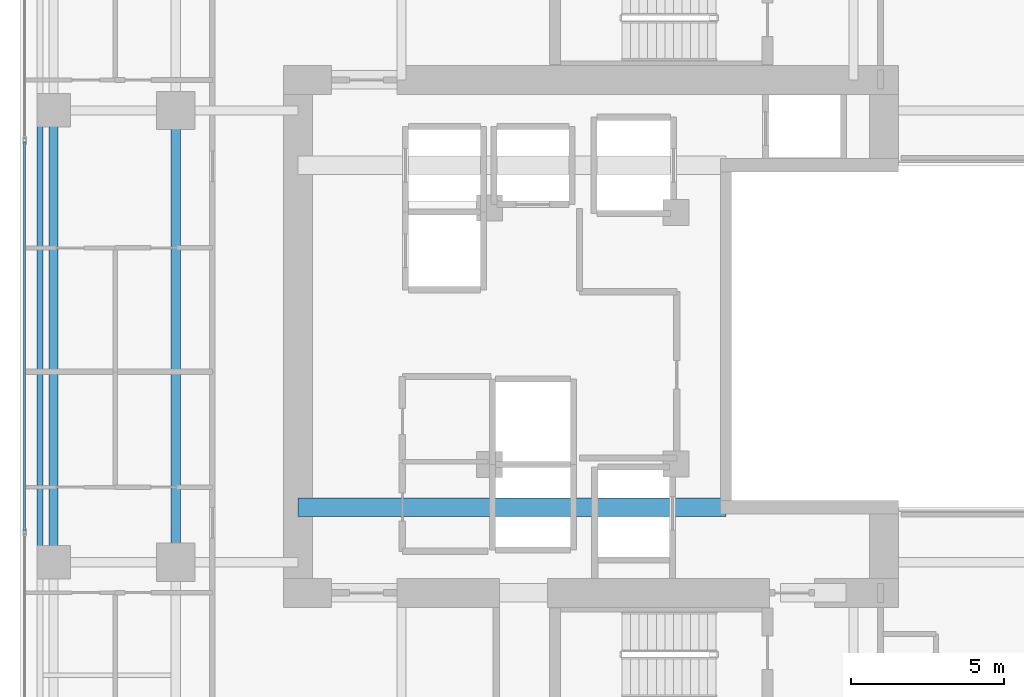
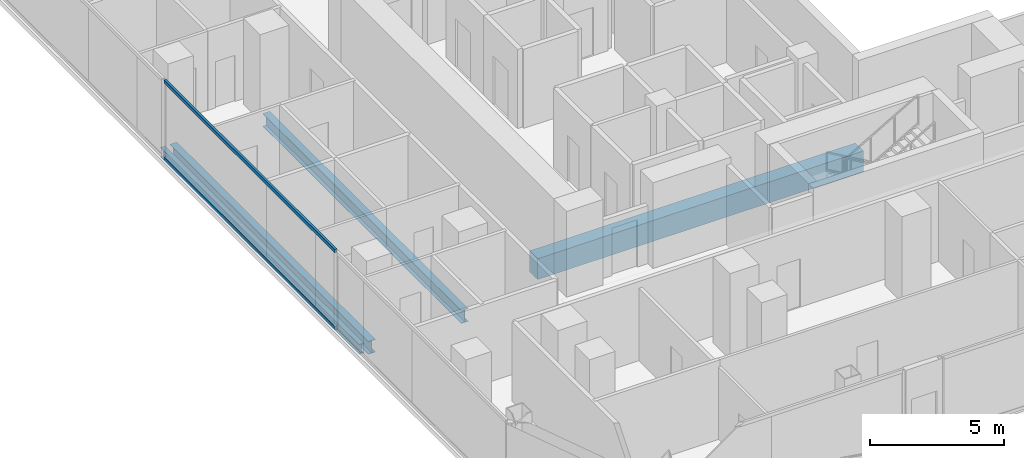
# One storey, part 7 of 27: 4 beams, 2 members, 1 element without a shape of its own.
"""IFC4 building model written with IfcOpenShell, lengths in metres."""

from ifc_helpers import new_model, si_unit, direction, frame, origin, origin_2d, place, context, subcontext, project, spatial, rectangle, hollow_rectangle, i_section, extrude, material, layer, layer_set, material_profile, profile_set, type_object, element, aggregate, save


model = new_model("IFC4")

# Units and contexts
model_context = context("Model", 3, precision=1e-05, world=origin(), true_north=direction((0.0, 1.0)))
body_context = subcontext(model_context, "Body", "Model", "MODEL_VIEW")
ifc_project = project(units=[si_unit("LENGTHUNIT", "METRE"), si_unit("AREAUNIT", "SQUARE_METRE"), si_unit("VOLUMEUNIT", "CUBIC_METRE"), si_unit("PLANEANGLEUNIT", "RADIAN"), si_unit("MASSUNIT", "GRAM", prefix="KILO")], contexts=[model_context])

# Site, building, storey
site_placement = place(None, origin())
site = spatial("IfcSite", under=ifc_project, at=site_placement, CompositionType="ELEMENT")
building_placement = place(site_placement, origin())
building = spatial("IfcBuilding", under=site, at=building_placement, Name="Khorvyn Point Tower", CompositionType="ELEMENT")
storey_placement = place(building_placement, frame((0.0, 0.0, 152.39990234375)))
storey = spatial("IfcBuildingStorey", under=building, at=storey_placement, Name="L38", CompositionType="ELEMENT", Elevation=152.39990234375)

# Curtain wall, members
ifc_material_1 = material(Name="Anodised aluminium 6063-T6 and laminated Low-E glass", Category="aluminium")
ifc_layer = layer(ifc_material_1, 0.18994140625)
ifc_layer_set = layer_set([ifc_layer], Name="Stick-Built Acoustic Curtain Wall CW-SYS-03")
curtain_wall_type = type_object("IfcCurtainWallType", Name="Stick-Built Acoustic Curtain Wall CW-SYS-03", PredefinedType="NOTDEFINED", material=ifc_layer_set)
curtain_wall_placement = place(storey_placement, origin())
curtain_wall = element("IfcCurtainWall", 1, at=curtain_wall_placement, inside=storey, type_object=curtain_wall_type, Name="Curtain Wall", PredefinedType="NOTDEFINED")
ifc_material_2 = material(Name="Anodised aluminium 6063-T6", Category="aluminium")
ifc_material_profile_1 = material_profile(ifc_material_2, hollow_rectangle(XDim=0.10009765625, YDim=0.159912109375, WallThickness=0.00439453125, at=origin_2d()))
ifc_profile_set_1 = profile_set([ifc_material_profile_1], Name="Anodised aluminium 6063-T6 ALU-TRN-100x160")
member_type = type_object("IfcMemberType", Name="Anodised Aluminium 6063-T6 Transom ALU-TRN-100x160", PredefinedType="USERDEFINED", material=ifc_profile_set_1)
member_1_placement = place(storey_placement, frame((-19.75, -6.36669921875, 0.050048828125), z_axis=(0.0, 1.0, 0.0), x_axis=(-1.0, 0.0, 0.0)))
member_1 = element("IfcMember", 2, at=member_1_placement, type_object=member_type, Name="Transom", ObjectType="TRANSOM", PredefinedType="USERDEFINED", context=body_context, shape_type="SweptSolid", body=[
    extrude(hollow_rectangle(XDim=0.10009765625, YDim=0.159912109375, WallThickness=0.00439453125, at=origin_2d()), origin(), (0.0, 0.0, 1.0), 12.7333984375),
])
member_2_placement = place(storey_placement, frame((-19.75, -6.36669921875, 3.550048828125), z_axis=(0.0, 1.0, 0.0), x_axis=(-1.0, 0.0, 0.0)))
member_2 = element("IfcMember", 3, at=member_2_placement, type_object=member_type, Name="Transom", ObjectType="TRANSOM", PredefinedType="USERDEFINED", context=body_context, shape_type="SweptSolid", body=[
    extrude(hollow_rectangle(XDim=0.10009765625, YDim=0.159912109375, WallThickness=0.00439453125, at=origin_2d()), origin(), (0.0, 0.0, 1.0), 12.7333984375),
])
aggregate(curtain_wall, [member_1, member_2])

# Beams
ifc_material_3 = material(Name="Concrete C50/60", Category="concrete")
ifc_material_profile_2 = material_profile(ifc_material_3, rectangle(XDim=0.60009765625, YDim=0.949951171875, at=origin_2d()))
ifc_profile_set_2 = profile_set([ifc_material_profile_2], Name="Concrete C50/60 RC600x950")
beam_type_1 = type_object("IfcBeamType", Name="Concrete C50/60 Beam RC600x950", PredefinedType="BEAM", material=ifc_profile_set_2)
beam_1_placement = place(storey_placement, frame((-10.800048828125, -5.60009765625, -0.69482421875), z_axis=(1.0, 0.0, 0.0), x_axis=(0.0, 1.0, 0.0)))
element("IfcBeam", 4, at=beam_1_placement, inside=storey, type_object=beam_type_1, Name="L38 Core Internal Tie Girder S", PredefinedType="BEAM", context=body_context, shape_type="SweptSolid", body=[
    extrude(rectangle(XDim=0.60009765625, YDim=0.949951171875, at=origin_2d()), origin(), (0.0, 0.0, 1.0), 14.02001953125),
])
ifc_material_4 = material(Name="Steel S355", Category="steel")
ifc_material_profile_3 = material_profile(ifc_material_4, i_section(OverallWidth=0.300048828125, OverallDepth=0.587890625, WebThickness=0.011962890625, FlangeThickness=0.02001953125, at=origin_2d()))
ifc_profile_set_3 = profile_set([ifc_material_profile_3], Name="Steel S355 H588x300x12x20")
beam_type_2 = type_object("IfcBeamType", Name="Steel S355 Beam H588x300x12x20", PredefinedType="BEAM", material=ifc_profile_set_3)
for number, where, z_axis, x_axis, name in (
    (5, (-14.800048828125, -7.39990234375, -0.513916015625), (0.0, 1.0, 0.0), (-1.0, 0.0, 0.0), "Beam"),
    (6, (-18.800048828125, -7.39990234375, -0.513916015625), (0.0, 1.0, 0.0), (-1.0, 0.0, 0.0), "Beam"),
):
    element("IfcBeam", number, at=place(storey_placement, frame(where, z_axis=z_axis, x_axis=x_axis)), inside=storey, type_object=beam_type_2, Name=name, PredefinedType="BEAM", context=body_context, shape_type="SweptSolid", body=[
        extrude(i_section(OverallWidth=0.300048828125, OverallDepth=0.587890625, WebThickness=0.011962890625, FlangeThickness=0.02001953125, at=origin_2d()), origin(), (0.0, 0.0, 1.0), 14.7998046875),
    ])
ifc_material_profile_4 = material_profile(ifc_material_4, i_section(OverallWidth=0.199951171875, OverallDepth=0.449951171875, WebThickness=0.009033203125, FlangeThickness=0.013916015625, at=origin_2d()))
ifc_profile_set_4 = profile_set([ifc_material_profile_4], Name="Steel S355 H450x200x9x14")
beam_type_3 = type_object("IfcBeamType", Name="Steel S355 Spandrel H450x200x9x14", PredefinedType="SPANDREL", material=ifc_profile_set_4)
beam_2_placement = place(storey_placement, frame((-19.25, -7.39990234375, -0.44482421875), z_axis=(0.0, 1.0, 0.0), x_axis=(-1.0, 0.0, 0.0)))
element("IfcBeam", 7, at=beam_2_placement, inside=storey, type_object=beam_type_3, Name="Beam", PredefinedType="SPANDREL", context=body_context, shape_type="SweptSolid", body=[
    extrude(i_section(OverallWidth=0.199951171875, OverallDepth=0.449951171875, WebThickness=0.009033203125, FlangeThickness=0.013916015625, at=origin_2d()), origin(), (0.0, 0.0, 1.0), 14.7998046875),
])

save(model, "model.ifc")
